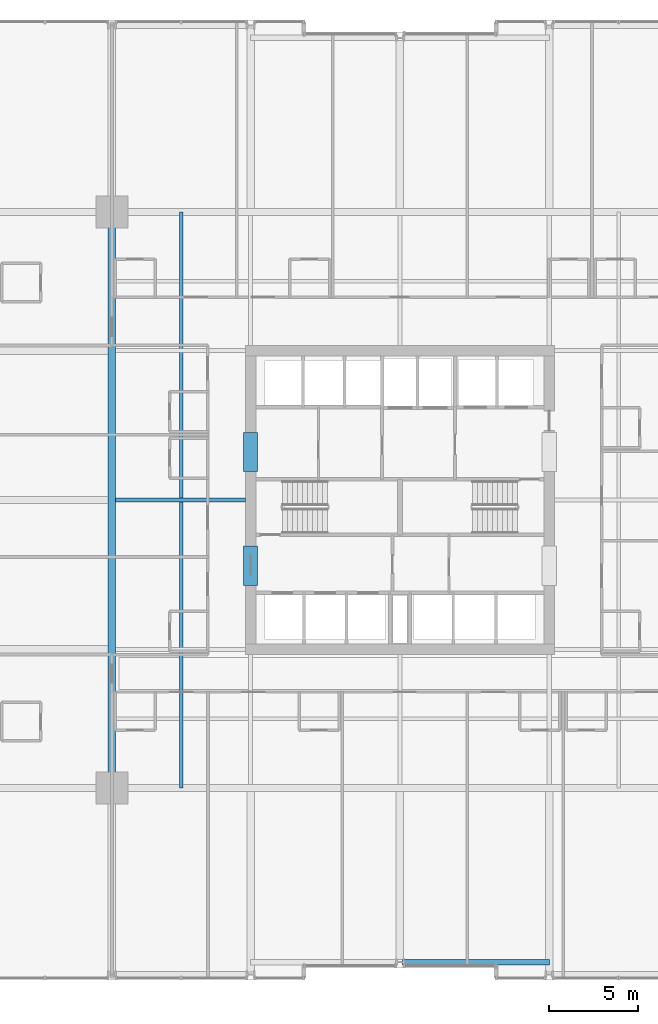
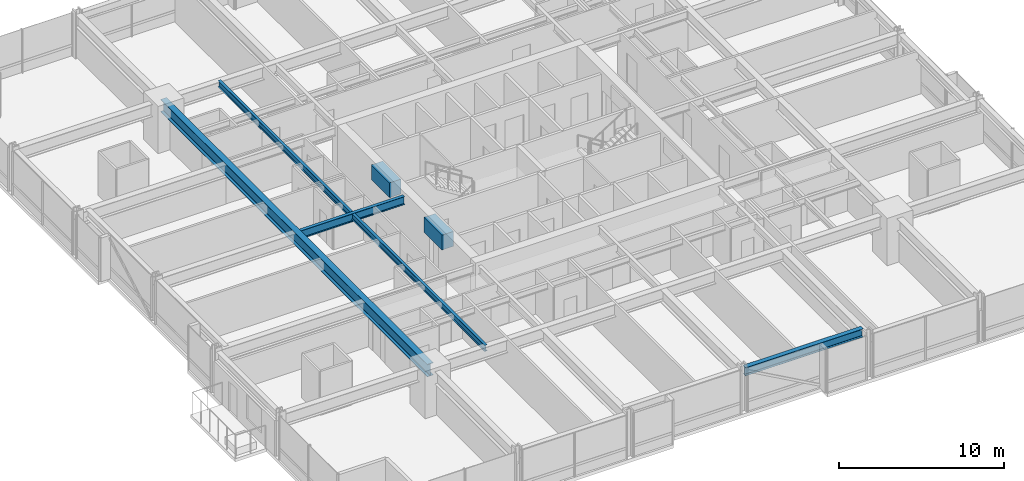
# One storey, part 10 of 38: 6 beams.
"""IFC4 building model written with IfcOpenShell, lengths in metres."""

from ifc_helpers import new_model, si_unit, direction, frame, origin, origin_2d, place, context, subcontext, project, spatial, rectangle, i_section, extrude, material, material_profile, profile_set, type_object, element, save


model = new_model("IFC4")

# Units and contexts
model_context = context("Model", 3, precision=1e-05, world=origin(), true_north=direction((0.0, 1.0)))
body_context = subcontext(model_context, "Body", "Model", "MODEL_VIEW")
ifc_project = project(units=[si_unit("LENGTHUNIT", "METRE"), si_unit("AREAUNIT", "SQUARE_METRE"), si_unit("VOLUMEUNIT", "CUBIC_METRE"), si_unit("PLANEANGLEUNIT", "RADIAN"), si_unit("MASSUNIT", "GRAM", prefix="KILO")], contexts=[model_context])

# Site, building, storey
site_placement = place(None, origin())
site = spatial("IfcSite", under=ifc_project, at=site_placement, CompositionType="ELEMENT")
building_placement = place(site_placement, origin())
building = spatial("IfcBuilding", under=site, at=building_placement, Name="Drelvath Grand Hotel", CompositionType="ELEMENT")
storey_placement = place(building_placement, frame((0.0, 0.0, 57.699951171875)))
storey = spatial("IfcBuildingStorey", under=building, at=storey_placement, Name="L13", CompositionType="ELEMENT", Elevation=57.699951171875)

# Beams
ifc_material_1 = material(Name="Steel ASTM A992 Gr 50", Category="steel")
ifc_material_profile_1 = material_profile(ifc_material_1, i_section(OverallWidth=0.19140625, OverallDepth=0.4599609375, WebThickness=0.010009765625, FlangeThickness=0.01611328125, FilletRadius=0.01611328125, at=origin_2d()), Name="W18X55")
ifc_profile_set_1 = profile_set([ifc_material_profile_1], Name="Steel ASTM A992 Gr 50")
beam_type_1 = type_object("IfcBeamType", Name="Composite Floor Joist W18X55", PredefinedType="JOIST", material=ifc_profile_set_1)
beam_1_placement = place(storey_placement, frame((-12.300048828125, 10.800048828125, 3.010009765625), z_axis=(0.0, 1.0, 0.0), x_axis=(-1.0, 0.0, 0.0)))
element("IfcBeam", 1, at=beam_1_placement, inside=storey, type_object=beam_type_1, Name="L13 Wing Floor Joist J3", PredefinedType="JOIST", context=body_context, shape_type="SweptSolid", body=[
    extrude(i_section(OverallWidth=0.19140625, OverallDepth=0.4599609375, WebThickness=0.010009765625, FlangeThickness=0.01611328125, FilletRadius=0.01611328125, at=origin_2d()), origin(), (0.0, 0.0, 1.0), 32.39990234375),
])
ifc_material_2 = material(Name="Concrete f'c 70 MPa", Category="concrete")
ifc_material_profile_2 = material_profile(ifc_material_2, rectangle(XDim=0.800048828125, YDim=1.10009765625, at=origin_2d()), Name="CB800X1100")
ifc_profile_set_2 = profile_set([ifc_material_profile_2], Name="Concrete f'c 70 MPa")
beam_type_2 = type_object("IfcBeamType", Name="Core Coupling Lintel CB800X1100", PredefinedType="LINTEL", material=ifc_profile_set_2)
for number, where, z_axis, x_axis, name in (
    (2, (-8.39990234375, 22.199951171875, 2.68994140625), (0.0, 1.0, 0.0), (-1.0, 0.0, 0.0), "L13 Core Coupling Lintel WS"),
    (3, (-8.39990234375, 28.60009765625, 2.68994140625), (0.0, 1.0, 0.0), (-1.0, 0.0, 0.0), "L13 Core Coupling Lintel WN"),
):
    element("IfcBeam", number, at=place(storey_placement, frame(where, z_axis=z_axis, x_axis=x_axis)), inside=storey, type_object=beam_type_2, Name=name, PredefinedType="LINTEL", context=body_context, shape_type="SweptSolid", body=[
        extrude(rectangle(XDim=0.800048828125, YDim=1.10009765625, at=origin_2d()), origin(), (0.0, 0.0, 1.0), 2.199951171875),
    ])
ifc_material_profile_3 = material_profile(ifc_material_1, i_section(OverallWidth=0.323974609375, OverallDepth=0.611083984375, WebThickness=0.0126953125, FlangeThickness=0.01904296875, FilletRadius=0.02197265625, at=origin_2d()), Name="W24X104")
ifc_profile_set_3 = profile_set([ifc_material_profile_3], Name="Steel ASTM A992 Gr 50")
beam_type_3 = type_object("IfcBeamType", Name="Perimeter Spandrel Beam W24X104", PredefinedType="SPANDREL", material=ifc_profile_set_3)
beam_2_placement = place(storey_placement, frame((0.139892578125, 1.0, 2.9345703125), z_axis=(1.0, 0.0, 0.0), x_axis=(0.0, 1.0, 0.0)))
element("IfcBeam", 4, at=beam_2_placement, inside=storey, type_object=beam_type_3, Name="L13 Spandrel South Mid E", PredefinedType="SPANDREL", context=body_context, shape_type="SweptSolid", body=[
    extrude(i_section(OverallWidth=0.323974609375, OverallDepth=0.611083984375, WebThickness=0.0126953125, FlangeThickness=0.01904296875, FilletRadius=0.02197265625, at=origin_2d()), origin(), (0.0, 0.0, 1.0), 8.260009765625),
])
ifc_material_profile_4 = material_profile(ifc_material_1, i_section(OverallWidth=0.228271484375, OverallDepth=0.607666015625, WebThickness=0.01123046875, FlangeThickness=0.017333984375, FilletRadius=0.02001953125, at=origin_2d()), Name="W24X76")
ifc_profile_set_4 = profile_set([ifc_material_profile_4], Name="Steel ASTM A992 Gr 50")
beam_type_4 = type_object("IfcBeamType", Name="Primary Floor Girder W24X76", PredefinedType="BEAM", material=ifc_profile_set_4)
beam_3_placement = place(storey_placement, frame((-15.99072265625, 27.0, 2.936279296875), z_axis=(1.0, 0.0, 0.0), x_axis=(0.0, 1.0, 0.0)))
element("IfcBeam", 5, at=beam_3_placement, inside=storey, type_object=beam_type_4, Name="L13 West Core Tie E", PredefinedType="BEAM", context=body_context, shape_type="SweptSolid", body=[
    extrude(i_section(OverallWidth=0.228271484375, OverallDepth=0.607666015625, WebThickness=0.01123046875, FlangeThickness=0.017333984375, FilletRadius=0.02001953125, at=origin_2d()), origin(), (0.0, 0.0, 1.0), 7.290771484375),
])
ifc_material_profile_5 = material_profile(ifc_material_1, i_section(OverallWidth=0.418212890625, OverallDepth=0.926513671875, WebThickness=0.019287109375, FlangeThickness=0.031982421875, FilletRadius=0.028076171875, at=origin_2d()), Name="W36X231")
ifc_profile_set_5 = profile_set([ifc_material_profile_5], Name="Steel ASTM A992 Gr 50")
beam_type_5 = type_object("IfcBeamType", Name="Primary Floor Girder W36X231", PredefinedType="BEAM", material=ifc_profile_set_5)
beam_4_placement = place(storey_placement, frame((-16.199951171875, 10.800048828125, 2.77685546875), z_axis=(0.0, 1.0, 0.0), x_axis=(-1.0, 0.0, 0.0)))
element("IfcBeam", 6, at=beam_4_placement, inside=storey, type_object=beam_type_5, Name="L13 Mega Ring Girder West", PredefinedType="BEAM", context=body_context, shape_type="SweptSolid", body=[
    extrude(i_section(OverallWidth=0.418212890625, OverallDepth=0.926513671875, WebThickness=0.019287109375, FlangeThickness=0.031982421875, FilletRadius=0.028076171875, at=origin_2d()), origin(), (0.0, 0.0, 1.0), 32.39990234375),
])

save(model, "model.ifc")
